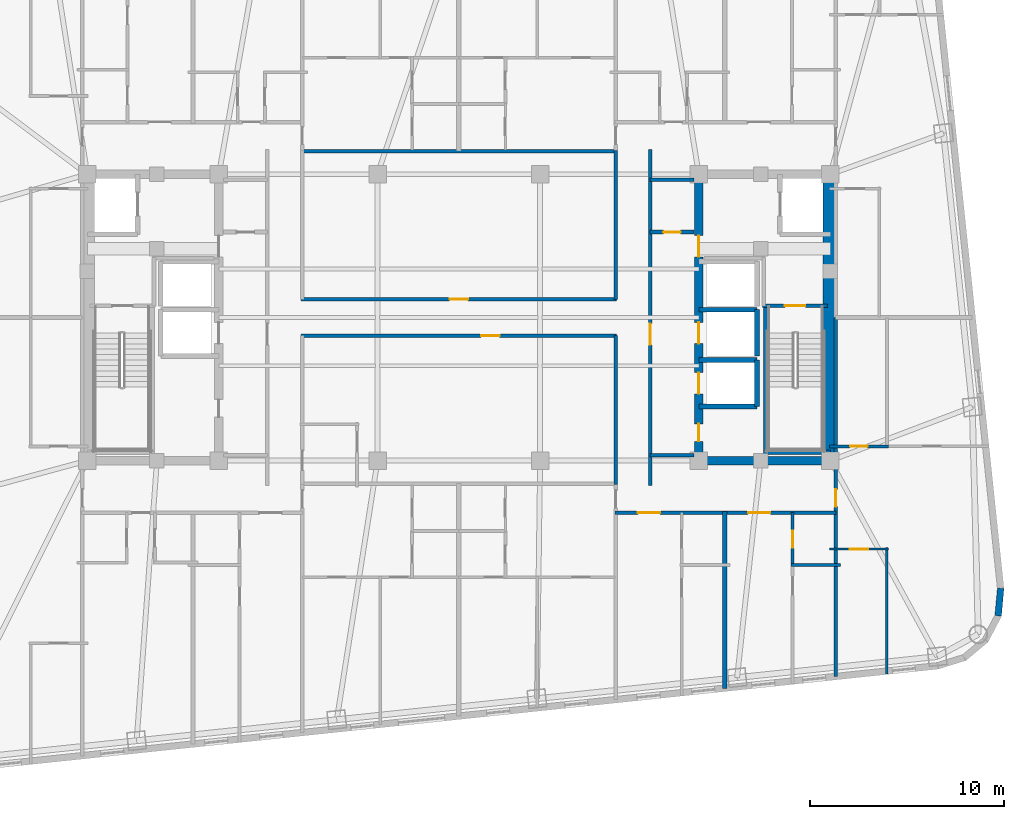
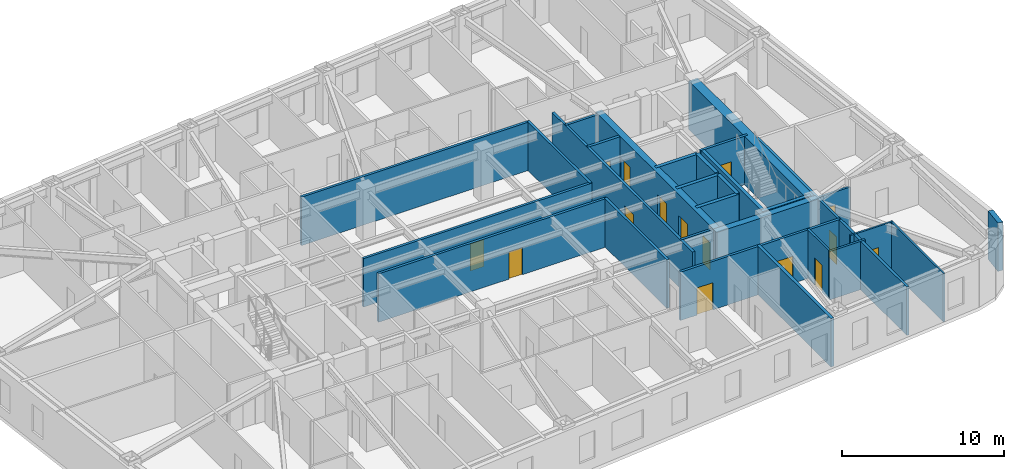
# One storey, part 6 of 12: 29 walls, 15 doors, 15 openings.
"""IFC4 building model written with IfcOpenShell, lengths in metres."""

from ifc_helpers import new_model, si_unit, direction, frame, frame_2d, origin, place, context, subcontext, project, spatial, rectangle, extrude, material, layer, layer_set, type_object, element, fill, save


model = new_model("IFC4")

# Units and contexts
model_context = context("Model", 3, precision=1e-05, world=origin(), true_north=direction((0.0, 1.0)))
body_context = subcontext(model_context, "Body", "Model", "MODEL_VIEW")
ifc_project = project(units=[si_unit("LENGTHUNIT", "METRE"), si_unit("AREAUNIT", "SQUARE_METRE"), si_unit("VOLUMEUNIT", "CUBIC_METRE"), si_unit("PLANEANGLEUNIT", "RADIAN"), si_unit("MASSUNIT", "GRAM", prefix="KILO")], contexts=[model_context])

# Site, building, storey
site_placement = place(None, origin())
site = spatial("IfcSite", under=ifc_project, at=site_placement, CompositionType="ELEMENT")
building_placement = place(site_placement, origin())
building = spatial("IfcBuilding", under=site, at=building_placement, Name="Voryun Gate Residences", CompositionType="ELEMENT")
storey_placement = place(building_placement, frame((0.0, 0.0, 179.39990234375)))
storey = spatial("IfcBuildingStorey", under=building, at=storey_placement, Name="L44", CompositionType="ELEMENT", Elevation=179.39990234375)

# Wall
ifc_material_1 = material(Name="Concrete C50/60", Category="concrete")
ifc_layer_1 = layer(ifc_material_1, 0.449951171875, Name="CW_CORE_450")
ifc_layer_set_1 = layer_set([ifc_layer_1], Name="Concrete C50/60")
wall_type_1 = type_object("IfcWallType", Name="CW_CORE_450", PredefinedType="SHEAR", material=ifc_layer_set_1)
wall_1_placement = place(storey_placement, frame((12.175048828125, -7.39990234375, 0.0), z_axis=(0.0, 0.0, 1.0), x_axis=(1.0, 0.0, 0.0)))
element("IfcWall", 1, at=wall_1_placement, inside=storey, type_object=wall_type_1, Name="L44 Core shear wall CW-L44-ES", PredefinedType="SHEAR", context=body_context, shape_type="SweptSolid", body=[
    extrude(rectangle(XDim=7.25, YDim=0.449951171875, at=frame_2d((3.625, 0.0))), origin(), (0.0, 0.0, 1.0), 3.650146484375),
])

# Wall, openings, doors
wall_2_placement = place(storey_placement, frame((12.39990234375, -7.39990234375, 0.0), z_axis=(0.0, 0.0, 1.0), x_axis=(0.0, 1.0, 0.0)))
wall_2 = element("IfcWall", 2, at=wall_2_placement, inside=storey, type_object=wall_type_1, Name="L44 Core shear wall CW-L44-EW", PredefinedType="SHEAR", context=body_context, shape_type="SweptSolid", body=[
    extrude(rectangle(XDim=14.7998046875, YDim=0.449951171875, at=frame_2d((7.39990234375, 0.0))), origin(), (0.0, 0.0, 1.0), 3.650146484375),
])
opening_1_placement = place(wall_2_placement, frame((3.449951171875, 0.0, 0.0)))
opening_1 = element("IfcOpeningElement", 3, at=opening_1_placement, cuts=wall_2, Name="Opening LD2", PredefinedType="OPENING", context=body_context, shape_type="SweptSolid", body=[
    extrude(rectangle(XDim=1.10009765625, YDim=2.050048828125, at=frame_2d((0.550048828125, 1.02490234375))), frame((0.0, 0.235107421875, 0.0), z_axis=(0.0, -1.0, 0.0), x_axis=(1.0, 0.0, 0.0)), (0.0, 0.0, 1.0), 0.469970703125),
])
opening_2_placement = place(wall_2_placement, frame((6.050048828125, 0.0, 0.0)))
opening_2 = element("IfcOpeningElement", 4, at=opening_2_placement, cuts=wall_2, Name="Opening LD2", PredefinedType="OPENING", context=body_context, shape_type="SweptSolid", body=[
    extrude(rectangle(XDim=1.10009765625, YDim=2.050048828125, at=frame_2d((0.550048828125, 1.02490234375))), frame((0.0, 0.235107421875, 0.0), z_axis=(0.0, -1.0, 0.0), x_axis=(1.0, 0.0, 0.0)), (0.0, 0.0, 1.0), 0.469970703125),
])
opening_3_placement = place(wall_2_placement, frame((10.530029296875, 0.0, 0.0)))
opening_3 = element("IfcOpeningElement", 5, at=opening_3_placement, cuts=wall_2, Name="Opening D-FD60-2", PredefinedType="OPENING", context=body_context, shape_type="SweptSolid", body=[
    extrude(rectangle(XDim=1.10009765625, YDim=2.050048828125, at=frame_2d((0.550048828125, 1.02490234375))), frame((0.0, 0.235107421875, 0.0), z_axis=(0.0, -1.0, 0.0), x_axis=(1.0, 0.0, 0.0)), (0.0, 0.0, 1.0), 0.469970703125),
])
opening_4_placement = place(wall_2_placement, frame((1.0, 0.0, 0.0)))
opening_4 = element("IfcOpeningElement", 6, at=opening_4_placement, cuts=wall_2, Name="Opening D-FD60-4", PredefinedType="OPENING", context=body_context, shape_type="SweptSolid", body=[
    extrude(rectangle(XDim=0.89990234375, YDim=2.050048828125, at=frame_2d((0.449951171875, 1.02490234375))), frame((0.0, 0.235107421875, 0.0), z_axis=(0.0, -1.0, 0.0), x_axis=(1.0, 0.0, 0.0)), (0.0, 0.0, 1.0), 0.469970703125),
])
ifc_material_2 = material(Name="Painted steel fire door", Category="steel")
door_type_1 = type_object("IfcDoorType", Name="DR_FD60_FFLOB_1100", OperationType="NOTDEFINED", PredefinedType="DOOR", material=ifc_material_2)
door_1_placement = place(opening_3_placement, origin())
door_1 = element("IfcDoor", 7, at=door_1_placement, inside=storey, type_object=door_type_1, Name="Door DR-L44-CLOB-E", OperationType="SINGLE_SWING_RIGHT", OverallHeight=2.050048828125, OverallWidth=1.10009765625, PredefinedType="DOOR", context=body_context, shape_type="SweptSolid", body=[
    extrude(rectangle(XDim=1.10009765625, YDim=2.050048828125, at=frame_2d((0.550048828125, 1.02490234375))), frame((0.0, 0.02490234375, 0.0), z_axis=(0.0, -1.0, 0.0), x_axis=(1.0, 0.0, 0.0)), (0.0, 0.0, 1.0), 0.050048828125),
])
fill(opening_3, door_1)
ifc_material_3 = material(Name="Painted steel fire door", Category="steel")
door_type_2 = type_object("IfcDoorType", Name="DR_FD60_RISER_900", OperationType="NOTDEFINED", PredefinedType="DOOR", material=ifc_material_3)
door_2_placement = place(opening_4_placement, origin())
door_2 = element("IfcDoor", 8, at=door_2_placement, inside=storey, type_object=door_type_2, Name="Door DR-L44-RECE1", OperationType="SINGLE_SWING_RIGHT", OverallHeight=2.050048828125, OverallWidth=0.89990234375, PredefinedType="DOOR", context=body_context, shape_type="SweptSolid", body=[
    extrude(rectangle(XDim=0.89990234375, YDim=2.050048828125, at=frame_2d((0.449951171875, 1.02490234375))), frame((0.0, 0.02490234375, 0.0), z_axis=(0.0, -1.0, 0.0), x_axis=(1.0, 0.0, 0.0)), (0.0, 0.0, 1.0), 0.050048828125),
])
fill(opening_4, door_2)
ifc_material_4 = material(Name="Anodised aluminium", Category="aluminium")
door_type_3 = type_object("IfcDoorType", Name="DR_LD_PASS_1100", OperationType="NOTDEFINED", PredefinedType="DOOR", material=ifc_material_4)
door_3_placement = place(opening_1_placement, origin())
door_3 = element("IfcDoor", 9, at=door_3_placement, inside=storey, type_object=door_type_3, Name="Lift EL-P5 sliding landing door L44", OperationType="SLIDING_TO_LEFT", OverallHeight=2.050048828125, OverallWidth=1.10009765625, PredefinedType="DOOR", context=body_context, shape_type="SweptSolid", body=[
    extrude(rectangle(XDim=1.10009765625, YDim=2.050048828125, at=frame_2d((0.550048828125, 1.02490234375))), frame((0.0, 0.02490234375, 0.0), z_axis=(0.0, -1.0, 0.0), x_axis=(1.0, 0.0, 0.0)), (0.0, 0.0, 1.0), 0.050048828125),
])
fill(opening_1, door_3)
door_4_placement = place(opening_2_placement, origin())
door_4 = element("IfcDoor", 10, at=door_4_placement, inside=storey, type_object=door_type_3, Name="Lift EL-P6 sliding landing door L44", OperationType="SLIDING_TO_LEFT", OverallHeight=2.050048828125, OverallWidth=1.10009765625, PredefinedType="DOOR", context=body_context, shape_type="SweptSolid", body=[
    extrude(rectangle(XDim=1.10009765625, YDim=2.050048828125, at=frame_2d((0.550048828125, 1.02490234375))), frame((0.0, 0.02490234375, 0.0), z_axis=(0.0, -1.0, 0.0), x_axis=(1.0, 0.0, 0.0)), (0.0, 0.0, 1.0), 0.050048828125),
])
fill(opening_2, door_4)

# Wall
ifc_material_5 = material(Name="Concrete C60/75", Category="concrete")
ifc_layer_2 = layer(ifc_material_5, 0.64990234375, Name="CW_CORE_650")
ifc_layer_set_2 = layer_set([ifc_layer_2], Name="Concrete C60/75")
wall_type_2 = type_object("IfcWallType", Name="CW_CORE_650", PredefinedType="SHEAR", material=ifc_layer_set_2)
wall_3_placement = place(storey_placement, frame((19.14501953125, -7.39990234375, 0.0), z_axis=(0.0, 0.0, 1.0), x_axis=(0.0, 1.0, 0.0)))
element("IfcWall", 11, at=wall_3_placement, inside=storey, type_object=wall_type_2, Name="L44 Core shear wall CW-L44-EE", PredefinedType="SHEAR", context=body_context, shape_type="SweptSolid", body=[
    extrude(rectangle(XDim=14.7998046875, YDim=0.64990234375, at=frame_2d((7.39990234375, 0.0))), origin(), (0.0, 0.0, 1.0), 3.650146484375),
])

# Wall, opening, door
ifc_material_6 = material(Name="Gypsum acoustic fireboard")
ifc_layer_3 = layer(ifc_material_6, 0.179931640625, Name="W_CORR_RATED_180")
ifc_layer_set_3 = layer_set([ifc_layer_3], Name="Gypsum acoustic fireboard")
wall_type_3 = type_object("IfcWallType", Name="W_CORR_RATED_180", PredefinedType="PARTITIONING", material=ifc_layer_set_3)
wall_4_placement = place(storey_placement, frame((15.699951171875, 0.60009765625, 0.0), z_axis=(0.0, 0.0, 1.0), x_axis=(1.0, 0.0, 0.0)))
wall_4 = element("IfcWall", 12, at=wall_4_placement, inside=storey, type_object=wall_type_3, Name="Partition wall WP-L44-STV-E", PredefinedType="PARTITIONING", context=body_context, shape_type="SweptSolid", body=[
    extrude(rectangle(XDim=3.360107421875, YDim=0.179931640625, at=frame_2d((1.68017578125, 0.0))), origin(), (0.0, 0.0, 1.0), 3.650146484375),
])
opening_5_placement = place(wall_4_placement, frame((1.155029296875, 0.0, 0.0)))
opening_5 = element("IfcOpeningElement", 13, at=opening_5_placement, cuts=wall_4, Name="Opening D-FD60-1", PredefinedType="OPENING", context=body_context, shape_type="SweptSolid", body=[
    extrude(rectangle(XDim=1.050048828125, YDim=2.050048828125, at=frame_2d((0.52490234375, 1.02490234375))), frame((0.0, 0.099853515625, 0.0), z_axis=(0.0, -1.0, 0.0), x_axis=(1.0, 0.0, 0.0)), (0.0, 0.0, 1.0), 0.199951171875),
])
ifc_material_7 = material(Name="Painted steel fire door", Category="steel")
door_type_4 = type_object("IfcDoorType", Name="DR_FD60_STAIR_1050", OperationType="NOTDEFINED", PredefinedType="DOOR", material=ifc_material_7)
door_5_placement = place(opening_5_placement, origin())
door_5 = element("IfcDoor", 14, at=door_5_placement, inside=storey, type_object=door_type_4, Name="Door DR-L44-ST-E", OperationType="SINGLE_SWING_RIGHT", OverallHeight=2.050048828125, OverallWidth=1.050048828125, PredefinedType="DOOR", context=body_context, shape_type="SweptSolid", body=[
    extrude(rectangle(XDim=1.050048828125, YDim=2.050048828125, at=frame_2d((0.52490234375, 1.02490234375))), frame((0.0, 0.02490234375, 0.0), z_axis=(0.0, -1.0, 0.0), x_axis=(1.0, 0.0, 0.0)), (0.0, 0.0, 1.0), 0.050048828125),
])
fill(opening_5, door_5)

# Walls
for number, where, z_axis, x_axis, name in (
    (15, (9.8798828125, 7.1201171875, 0.0), (0.0, 0.0, 1.0), (1.0, 0.0, 0.0), "Partition wall WP-L44-PLBN-E"),
    (16, (9.8798828125, -7.1201171875, 0.0), (0.0, 0.0, 1.0), (1.0, 0.0, 0.0), "Partition wall WP-L44-PLBS-E"),
):
    element("IfcWall", number, at=place(storey_placement, frame(where, z_axis=z_axis, x_axis=x_axis)), inside=storey, type_object=wall_type_3, Name=name, PredefinedType="PARTITIONING", context=body_context, shape_type="SweptSolid", body=[
        extrude(rectangle(XDim=2.27001953125, YDim=0.179931640625, at=frame_2d((1.135009765625, 0.0))), origin(), (0.0, 0.0, 1.0), 3.650146484375),
    ])

# Wall, opening, door
wall_5_placement = place(storey_placement, frame((9.89990234375, -8.679931640625, 0.0), z_axis=(0.0, 0.0, 1.0), x_axis=(0.0, 1.0, 0.0)))
wall_5 = element("IfcWall", 17, at=wall_5_placement, inside=storey, type_object=wall_type_3, Name="Partition wall WP-L44-PLBE-FULL", PredefinedType="PARTITIONING", context=body_context, shape_type="SweptSolid", body=[
    extrude(rectangle(XDim=17.35986328125, YDim=0.179931640625, at=frame_2d((8.679931640625, 0.0))), origin(), (0.0, 0.0, 1.0), 3.650146484375),
])
opening_6_placement = place(wall_5_placement, frame((7.261962890625, 0.0, 0.0)))
opening_6 = element("IfcOpeningElement", 18, at=opening_6_placement, cuts=wall_5, Name="Opening D-FD60-2", PredefinedType="OPENING", context=body_context, shape_type="SweptSolid", body=[
    extrude(rectangle(XDim=1.10009765625, YDim=2.050048828125, at=frame_2d((0.550048828125, 1.02490234375))), frame((0.0, 0.099853515625, 0.0), z_axis=(0.0, -1.0, 0.0), x_axis=(1.0, 0.0, 0.0)), (0.0, 0.0, 1.0), 0.199951171875),
])
door_6_placement = place(opening_6_placement, origin())
door_6 = element("IfcDoor", 19, at=door_6_placement, inside=storey, type_object=door_type_1, Name="Door DR-L44-PLBE-COR", OperationType="SINGLE_SWING_RIGHT", OverallHeight=2.050048828125, OverallWidth=1.10009765625, PredefinedType="DOOR", context=body_context, shape_type="SweptSolid", body=[
    extrude(rectangle(XDim=1.10009765625, YDim=2.050048828125, at=frame_2d((0.550048828125, 1.02490234375))), frame((0.0, 0.02490234375, 0.0), z_axis=(0.0, -1.0, 0.0), x_axis=(1.0, 0.0, 0.0)), (0.0, 0.0, 1.0), 0.050048828125),
])
fill(opening_6, door_6)

# Wall
wall_6_placement = place(storey_placement, frame((-8.14990234375, 8.590087890625, 0.0), z_axis=(0.0, 0.0, 1.0), x_axis=(1.0, 0.0, 0.0)))
element("IfcWall", 20, at=wall_6_placement, inside=storey, type_object=wall_type_3, Name="Partition wall WP-L44-Z2N", PredefinedType="PARTITIONING", context=body_context, shape_type="SweptSolid", body=[
    extrude(rectangle(XDim=16.2998046875, YDim=0.179931640625, at=frame_2d((8.14990234375, 0.0))), origin(), (0.0, 0.0, 1.0), 3.650146484375),
])

# Wall, opening, door
wall_7_placement = place(storey_placement, frame((-8.14990234375, 0.93994140625, 0.0), z_axis=(0.0, 0.0, 1.0), x_axis=(1.0, 0.0, 0.0)))
wall_7 = element("IfcWall", 21, at=wall_7_placement, inside=storey, type_object=wall_type_3, Name="Partition wall WP-L44-Z2HN", PredefinedType="PARTITIONING", context=body_context, shape_type="SweptSolid", body=[
    extrude(rectangle(XDim=16.2998046875, YDim=0.179931640625, at=frame_2d((8.14990234375, 0.0))), origin(), (0.0, 0.0, 1.0), 3.650146484375),
])
opening_7_placement = place(wall_7_placement, frame((7.675048828125, 0.0, 0.0)))
opening_7 = element("IfcOpeningElement", 22, at=opening_7_placement, cuts=wall_7, Name="Opening D-INT-1", PredefinedType="OPENING", context=body_context, shape_type="SweptSolid", body=[
    extrude(rectangle(XDim=0.949951171875, YDim=2.050048828125, at=frame_2d((0.47509765625, 1.02490234375))), frame((0.0, 0.099853515625, 0.0), z_axis=(0.0, -1.0, 0.0), x_axis=(1.0, 0.0, 0.0)), (0.0, 0.0, 1.0), 0.199951171875),
])
ifc_material_8 = material(Name="Architectural oak veneer")
door_type_5 = type_object("IfcDoorType", Name="DR_INT_ROOM_950", OperationType="NOTDEFINED", PredefinedType="DOOR", material=ifc_material_8)
door_7_placement = place(opening_7_placement, origin())
door_7 = element("IfcDoor", 23, at=door_7_placement, inside=storey, type_object=door_type_5, Name="Door DR-L44-Z2NH", OperationType="SINGLE_SWING_LEFT", OverallHeight=2.050048828125, OverallWidth=0.949951171875, PredefinedType="DOOR", context=body_context, shape_type="SweptSolid", body=[
    extrude(rectangle(XDim=0.949951171875, YDim=2.050048828125, at=frame_2d((0.47509765625, 1.02490234375))), frame((0.0, 0.02490234375, 0.0), z_axis=(0.0, -1.0, 0.0), x_axis=(1.0, 0.0, 0.0)), (0.0, 0.0, 1.0), 0.050048828125),
])
fill(opening_7, door_7)

wall_8_placement = place(storey_placement, frame((-8.14990234375, -0.93994140625, 0.0), z_axis=(0.0, 0.0, 1.0), x_axis=(1.0, 0.0, 0.0)))
wall_8 = element("IfcWall", 24, at=wall_8_placement, inside=storey, type_object=wall_type_3, Name="Partition wall WP-L44-Z2HS", PredefinedType="PARTITIONING", context=body_context, shape_type="SweptSolid", body=[
    extrude(rectangle(XDim=16.2998046875, YDim=0.179931640625, at=frame_2d((8.14990234375, 0.0))), origin(), (0.0, 0.0, 1.0), 3.650146484375),
])
opening_8_placement = place(wall_8_placement, frame((9.304931640625, 0.0, 0.0)))
opening_8 = element("IfcOpeningElement", 25, at=opening_8_placement, cuts=wall_8, Name="Opening D-INT-1", PredefinedType="OPENING", context=body_context, shape_type="SweptSolid", body=[
    extrude(rectangle(XDim=0.949951171875, YDim=2.050048828125, at=frame_2d((0.47509765625, 1.02490234375))), frame((0.0, 0.099853515625, 0.0), z_axis=(0.0, -1.0, 0.0), x_axis=(1.0, 0.0, 0.0)), (0.0, 0.0, 1.0), 0.199951171875),
])
door_8_placement = place(opening_8_placement, origin())
door_8 = element("IfcDoor", 26, at=door_8_placement, inside=storey, type_object=door_type_5, Name="Door DR-L44-Z2SH", OperationType="SINGLE_SWING_RIGHT", OverallHeight=2.050048828125, OverallWidth=0.949951171875, PredefinedType="DOOR", context=body_context, shape_type="SweptSolid", body=[
    extrude(rectangle(XDim=0.949951171875, YDim=2.050048828125, at=frame_2d((0.47509765625, 1.02490234375))), frame((0.0, 0.02490234375, 0.0), z_axis=(0.0, -1.0, 0.0), x_axis=(1.0, 0.0, 0.0)), (0.0, 0.0, 1.0), 0.050048828125),
])
fill(opening_8, door_8)

# Walls
for number, where, z_axis, x_axis, name in (
    (27, (8.10009765625, 0.919921875, 0.0), (0.0, 0.0, 1.0), (0.0, 1.0, 0.0), "Partition wall WP-L44-Z2ER1"),
    (28, (8.10009765625, -8.6298828125, 0.0), (0.0, 0.0, 1.0), (0.0, 1.0, 0.0), "Partition wall WP-L44-Z2ER2"),
):
    element("IfcWall", number, at=place(storey_placement, frame(where, z_axis=z_axis, x_axis=x_axis)), inside=storey, type_object=wall_type_3, Name=name, PredefinedType="PARTITIONING", context=body_context, shape_type="SweptSolid", body=[
        extrude(rectangle(XDim=7.7099609375, YDim=0.179931640625, at=frame_2d((3.85498046875, 0.0))), origin(), (0.0, 0.0, 1.0), 3.650146484375),
    ])

# Wall, openings, doors
wall_9_placement = place(storey_placement, frame((8.080078125, -10.10009765625, 0.0), z_axis=(0.0, 0.0, 1.0), x_axis=(1.0, 0.0, 0.0)))
wall_9 = element("IfcWall", 29, at=wall_9_placement, inside=storey, type_object=wall_type_3, Name="Partition wall WP-L44-SCORR-E", PredefinedType="PARTITIONING", context=body_context, shape_type="SweptSolid", body=[
    extrude(rectangle(XDim=11.419921875, YDim=0.179931640625, at=frame_2d((5.7099609375, 0.0))), origin(), (0.0, 0.0, 1.0), 3.650146484375),
])
opening_9_placement = place(wall_9_placement, frame((1.174560546875, 0.0, 0.0)))
opening_9 = element("IfcOpeningElement", 30, at=opening_9_placement, cuts=wall_9, Name="Opening D-UNIT-1", PredefinedType="OPENING", context=body_context, shape_type="SweptSolid", body=[
    extrude(rectangle(XDim=1.14990234375, YDim=2.050048828125, at=frame_2d((0.574951171875, 1.02490234375))), frame((0.0, 0.099853515625, 0.0), z_axis=(0.0, -1.0, 0.0), x_axis=(1.0, 0.0, 0.0)), (0.0, 0.0, 1.0), 0.199951171875),
])
opening_10_placement = place(wall_9_placement, frame((6.86962890625, 0.0, 0.0)))
opening_10 = element("IfcOpeningElement", 31, at=opening_10_placement, cuts=wall_9, Name="Opening D-UNIT-1", PredefinedType="OPENING", context=body_context, shape_type="SweptSolid", body=[
    extrude(rectangle(XDim=1.14990234375, YDim=2.050048828125, at=frame_2d((0.574951171875, 1.02490234375))), frame((0.0, 0.099853515625, 0.0), z_axis=(0.0, -1.0, 0.0), x_axis=(1.0, 0.0, 0.0)), (0.0, 0.0, 1.0), 0.199951171875),
])
ifc_material_9 = material(Name="Armoured timber-clad fire door", Category="wood")
door_type_6 = type_object("IfcDoorType", Name="DR_UNIT_ENTRY_1150", OperationType="NOTDEFINED", PredefinedType="DOOR", material=ifc_material_9)
door_9_placement = place(opening_9_placement, origin())
door_9 = element("IfcDoor", 32, at=door_9_placement, inside=storey, type_object=door_type_6, Name="Door DR-L44-SENT-4", OperationType="SINGLE_SWING_LEFT", OverallHeight=2.050048828125, OverallWidth=1.14990234375, PredefinedType="DOOR", context=body_context, shape_type="SweptSolid", body=[
    extrude(rectangle(XDim=1.14990234375, YDim=2.050048828125, at=frame_2d((0.574951171875, 1.02490234375))), frame((0.0, 0.02490234375, 0.0), z_axis=(0.0, -1.0, 0.0), x_axis=(1.0, 0.0, 0.0)), (0.0, 0.0, 1.0), 0.050048828125),
])
fill(opening_9, door_9)
door_10_placement = place(opening_10_placement, origin())
door_10 = element("IfcDoor", 33, at=door_10_placement, inside=storey, type_object=door_type_6, Name="Door DR-L44-SENT-5", OperationType="SINGLE_SWING_RIGHT", OverallHeight=2.050048828125, OverallWidth=1.14990234375, PredefinedType="DOOR", context=body_context, shape_type="SweptSolid", body=[
    extrude(rectangle(XDim=1.14990234375, YDim=2.050048828125, at=frame_2d((0.574951171875, 1.02490234375))), frame((0.0, 0.02490234375, 0.0), z_axis=(0.0, -1.0, 0.0), x_axis=(1.0, 0.0, 0.0)), (0.0, 0.0, 1.0), 0.050048828125),
])
fill(opening_10, door_10)

# Wall, opening, door
wall_10_placement = place(storey_placement, frame((19.469970703125, -18.55859375, 0.0), z_axis=(0.0, 0.0, 1.0), x_axis=(0.0, 1.0, 0.0)))
wall_10 = element("IfcWall", 34, at=wall_10_placement, inside=storey, type_object=wall_type_3, Name="Partition wall WP-L44-ECOR1", PredefinedType="PARTITIONING", context=body_context, shape_type="SweptSolid", body=[
    extrude(rectangle(XDim=18.55859375, YDim=0.179931640625, at=frame_2d((9.279296875, 0.0))), origin(), (0.0, 0.0, 1.0), 3.650146484375),
])
opening_11_placement = place(wall_10_placement, frame((8.779296875, 0.0, 0.0)))
opening_11 = element("IfcOpeningElement", 35, at=opening_11_placement, cuts=wall_10, Name="Opening D-INT-2", PredefinedType="OPENING", context=body_context, shape_type="SweptSolid", body=[
    extrude(rectangle(XDim=0.89990234375, YDim=2.050048828125, at=frame_2d((0.449951171875, 1.02490234375))), frame((0.0, 0.099853515625, 0.0), z_axis=(0.0, -1.0, 0.0), x_axis=(1.0, 0.0, 0.0)), (0.0, 0.0, 1.0), 0.199951171875),
])
ifc_material_10 = material(Name="Architectural oak veneer")
door_type_7 = type_object("IfcDoorType", Name="DR_INT_BATH_900", OperationType="NOTDEFINED", PredefinedType="DOOR", material=ifc_material_10)
door_11_placement = place(opening_11_placement, origin())
door_11 = element("IfcDoor", 36, at=door_11_placement, inside=storey, type_object=door_type_7, Name="Door DR-L44-EE1", OperationType="SINGLE_SWING_LEFT", OverallHeight=2.050048828125, OverallWidth=0.89990234375, PredefinedType="DOOR", context=body_context, shape_type="SweptSolid", body=[
    extrude(rectangle(XDim=0.89990234375, YDim=2.050048828125, at=frame_2d((0.449951171875, 1.02490234375))), frame((0.0, 0.02490234375, 0.0), z_axis=(0.0, -1.0, 0.0), x_axis=(1.0, 0.0, 0.0)), (0.0, 0.0, 1.0), 0.050048828125),
])
fill(opening_11, door_11)

# Wall
ifc_material_11 = material(Name="Charcoal terracotta masonry", Category="masonry")
ifc_layer_4 = layer(ifc_material_11, 0.340087890625, Name="W_EXT_TERRACOTTA_340")
ifc_layer_set_4 = layer_set([ifc_layer_4], Name="Charcoal terracotta masonry")
wall_type_4 = type_object("IfcWallType", Name="W_EXT_TERRACOTTA_340", PredefinedType="ELEMENTEDWALL", material=ifc_layer_set_4)
wall_11_placement = place(storey_placement, frame((28.001220703125, -13.9951171875, 0.0), z_axis=(0.0, 0.0, 1.0), x_axis=(-0.091534682358, -0.995801888894, 0.0)))
element("IfcWall", 37, at=wall_11_placement, inside=storey, type_object=wall_type_4, Name="Exterior wall WEXT-L44-17", PredefinedType="ELEMENTEDWALL", context=body_context, shape_type="SweptSolid", body=[
    extrude(rectangle(XDim=1.432373046875, YDim=0.340087890625, at=frame_2d((0.71630859375, 0.0))), origin(), (0.0, 0.0, 1.0), 3.650146484375),
])

# Wall, opening, door
ifc_material_12 = material(Name="Concrete C40/50", Category="concrete")
ifc_layer_5 = layer(ifc_material_12, 0.199951171875, Name="W_FF_LOBBY_200")
ifc_layer_set_5 = layer_set([ifc_layer_5], Name="Concrete C40/50")
wall_type_5 = type_object("IfcWallType", Name="W_FF_LOBBY_200", PredefinedType="PARTITIONING", material=ifc_layer_set_5)
wall_12_placement = place(storey_placement, frame((9.8798828125, 4.409912109375, 0.0), z_axis=(0.0, 0.0, 1.0), x_axis=(1.0, 0.0, 0.0)))
wall_12 = element("IfcWall", 38, at=wall_12_placement, inside=storey, type_object=wall_type_5, Name="Partition wall WP-L44-CSFLKS-E", PredefinedType="PARTITIONING", context=body_context, shape_type="SweptSolid", body=[
    extrude(rectangle(XDim=2.27001953125, YDim=0.199951171875, at=frame_2d((1.135009765625, 0.0))), origin(), (0.0, 0.0, 1.0), 3.650146484375),
])
opening_12_placement = place(wall_12_placement, frame((0.68505859375, 0.0, 0.0)))
opening_12 = element("IfcOpeningElement", 39, at=opening_12_placement, cuts=wall_12, Name="Opening D-FD60-4", PredefinedType="OPENING", context=body_context, shape_type="SweptSolid", body=[
    extrude(rectangle(XDim=0.89990234375, YDim=2.050048828125, at=frame_2d((0.449951171875, 1.02490234375))), frame((0.0, 0.110107421875, 0.0), z_axis=(0.0, -1.0, 0.0), x_axis=(1.0, 0.0, 0.0)), (0.0, 0.0, 1.0), 0.219970703125),
])
door_12_placement = place(opening_12_placement, origin())
door_12 = element("IfcDoor", 40, at=door_12_placement, inside=storey, type_object=door_type_2, Name="Door DR-L44-CSFLK-E", OperationType="SINGLE_SWING_RIGHT", OverallHeight=2.050048828125, OverallWidth=0.89990234375, PredefinedType="DOOR", context=body_context, shape_type="SweptSolid", body=[
    extrude(rectangle(XDim=0.89990234375, YDim=2.050048828125, at=frame_2d((0.449951171875, 1.02490234375))), frame((0.0, 0.02490234375, 0.0), z_axis=(0.0, -1.0, 0.0), x_axis=(1.0, 0.0, 0.0)), (0.0, 0.0, 1.0), 0.050048828125),
])
fill(opening_12, door_12)

# Walls
ifc_material_13 = material(Name="Concrete C40/50", Category="concrete")
ifc_layer_6 = layer(ifc_material_13, 0.219970703125, Name="W_PARTY_ACOUSTIC_220")
ifc_layer_set_6 = layer_set([ifc_layer_6], Name="Concrete C40/50")
wall_type_6 = type_object("IfcWallType", Name="W_PARTY_ACOUSTIC_220", PredefinedType="PARTITIONING", material=ifc_layer_set_6)
wall_13_placement = place(storey_placement, frame((13.739990234375, -19.160888671875, 0.0), z_axis=(0.0, 0.0, 1.0), x_axis=(0.0, 1.0, 0.0)))
element("IfcWall", 41, at=wall_13_placement, inside=storey, type_object=wall_type_6, Name="Partition wall WP-L44-SPTY-4", PredefinedType="PARTITIONING", context=body_context, shape_type="SweptSolid", body=[
    extrude(rectangle(XDim=9.140869140625, YDim=0.219970703125, at=frame_2d((4.5703125, 0.0))), origin(), (0.0, 0.0, 1.0), 3.650146484375),
])
ifc_material_14 = material(Name="Concrete C50/60", Category="concrete")
ifc_layer_7 = layer(ifc_material_14, 0.25, Name="W_SHAFT_RC250")
ifc_layer_set_7 = layer_set([ifc_layer_7], Name="Concrete C50/60")
wall_type_7 = type_object("IfcWallType", Name="W_SHAFT_RC250", PredefinedType="SOLIDWALL", material=ifc_layer_set_7)
wall_14_placement = place(storey_placement, frame((15.860107421875, -7.0849609375, 0.0), z_axis=(0.0, 0.0, 1.0), x_axis=(0.0, 1.0, 0.0)))
element("IfcWall", 42, at=wall_14_placement, inside=storey, type_object=wall_type_7, Name="L44 Stair shaft structural wall E-STL", PredefinedType="SOLIDWALL", context=body_context, shape_type="SweptSolid", body=[
    extrude(rectangle(XDim=7.68505859375, YDim=0.25, at=frame_2d((3.842529296875, 0.0))), origin(), (0.0, 0.0, 1.0), 3.650146484375),
])
wall_15_placement = place(storey_placement, frame((15.739990234375, -6.965087890625, 0.0), z_axis=(0.0, 0.0, 1.0), x_axis=(1.0, 0.0, 0.0)))
element("IfcWall", 43, at=wall_15_placement, inside=storey, type_object=wall_type_7, Name="L44 Stair shaft structural wall E-STS", PredefinedType="SOLIDWALL", context=body_context, shape_type="SweptSolid", body=[
    extrude(rectangle(XDim=3.4599609375, YDim=0.25, at=frame_2d((1.72998046875, 0.0))), origin(), (0.0, 0.0, 1.0), 3.650146484375),
])
wall_16_placement = place(storey_placement, frame((12.39990234375, -4.60009765625, 0.0), z_axis=(0.0, 0.0, 1.0), x_axis=(1.0, 0.0, 0.0)))
element("IfcWall", 44, at=wall_16_placement, inside=storey, type_object=wall_type_7, Name="Lift shaft wall WSH-L44-EL-P5-S", PredefinedType="SOLIDWALL", context=body_context, shape_type="SweptSolid", body=[
    extrude(rectangle(XDim=3.0, YDim=0.25, at=frame_2d((1.5, 0.0))), origin(), (0.0, 0.0, 1.0), 3.650146484375),
])
wall_17_placement = place(storey_placement, frame((15.39990234375, -4.60009765625, 0.0), z_axis=(0.0, 0.0, 1.0), x_axis=(0.0, 1.0, 0.0)))
element("IfcWall", 45, at=wall_17_placement, inside=storey, type_object=wall_type_7, Name="Lift shaft wall WSH-L44-EL-P5-E", PredefinedType="SOLIDWALL", context=body_context, shape_type="SweptSolid", body=[
    extrude(rectangle(XDim=2.400146484375, YDim=0.25, at=frame_2d((1.2001953125, 0.0))), origin(), (0.0, 0.0, 1.0), 3.650146484375),
])
wall_18_placement = place(storey_placement, frame((15.39990234375, -2.199951171875, 0.0), z_axis=(0.0, 0.0, 1.0), x_axis=(-1.0, 0.0, 0.0)))
element("IfcWall", 46, at=wall_18_placement, inside=storey, type_object=wall_type_7, Name="Lift shaft wall WSH-L44-EL-P5-N", PredefinedType="SOLIDWALL", context=body_context, shape_type="SweptSolid", body=[
    extrude(rectangle(XDim=3.0, YDim=0.25, at=frame_2d((1.5, 0.0))), origin(), (0.0, 0.0, 1.0), 3.650146484375),
])
wall_19_placement = place(storey_placement, frame((15.39990234375, -2.0, 0.0), z_axis=(0.0, 0.0, 1.0), x_axis=(0.0, 1.0, 0.0)))
element("IfcWall", 47, at=wall_19_placement, inside=storey, type_object=wall_type_7, Name="Lift shaft wall WSH-L44-EL-P6-E", PredefinedType="SOLIDWALL", context=body_context, shape_type="SweptSolid", body=[
    extrude(rectangle(XDim=2.39990234375, YDim=0.25, at=frame_2d((1.199951171875, 0.0))), origin(), (0.0, 0.0, 1.0), 3.650146484375),
])
wall_20_placement = place(storey_placement, frame((15.39990234375, 0.39990234375, 0.0), z_axis=(0.0, 0.0, 1.0), x_axis=(-1.0, 0.0, 0.0)))
element("IfcWall", 48, at=wall_20_placement, inside=storey, type_object=wall_type_7, Name="Lift shaft wall WSH-L44-EL-P6-N", PredefinedType="SOLIDWALL", context=body_context, shape_type="SweptSolid", body=[
    extrude(rectangle(XDim=3.0, YDim=0.25, at=frame_2d((1.5, 0.0))), origin(), (0.0, 0.0, 1.0), 3.650146484375),
])

# Wall, opening, door
ifc_material_15 = material(Name="Gypsum acoustic partition")
ifc_layer_8 = layer(ifc_material_15, 0.125, Name="W_UNIT_PART_125")
ifc_layer_set_8 = layer_set([ifc_layer_8], Name="Gypsum acoustic partition")
wall_type_8 = type_object("IfcWallType", Name="W_UNIT_PART_125", PredefinedType="PARTITIONING", material=ifc_layer_set_8)
wall_21_placement = place(storey_placement, frame((19.14990234375, -11.966064453125, 0.0), z_axis=(0.0, 0.0, 1.0), x_axis=(1.0, 0.0, 0.0)))
wall_21 = element("IfcWall", 49, at=wall_21_placement, inside=storey, type_object=wall_type_8, Name="Partition wall WP-L44-E1-IKA", PredefinedType="PARTITIONING", context=body_context, shape_type="SweptSolid", body=[
    extrude(rectangle(XDim=3.050048828125, YDim=0.125, at=frame_2d((1.52490234375, 0.0))), origin(), (0.0, 0.0, 1.0), 3.650146484375),
])
opening_13_placement = place(wall_21_placement, frame((1.050048828125, 0.0, 0.0)))
opening_13 = element("IfcOpeningElement", 50, at=opening_13_placement, cuts=wall_21, Name="Opening D-INT-1", PredefinedType="OPENING", context=body_context, shape_type="SweptSolid", body=[
    extrude(rectangle(XDim=0.949951171875, YDim=2.050048828125, at=frame_2d((0.47509765625, 1.02490234375))), frame((0.0, 0.072509765625, 0.0), z_axis=(0.0, -1.0, 0.0), x_axis=(1.0, 0.0, 0.0)), (0.0, 0.0, 1.0), 0.14501953125),
])
door_13_placement = place(opening_13_placement, origin())
door_13 = element("IfcDoor", 51, at=door_13_placement, inside=storey, type_object=door_type_5, Name="Door DR-L44-E1-DK", OperationType="SINGLE_SWING_LEFT", OverallHeight=2.050048828125, OverallWidth=0.949951171875, PredefinedType="DOOR", context=body_context, shape_type="SweptSolid", body=[
    extrude(rectangle(XDim=0.949951171875, YDim=2.050048828125, at=frame_2d((0.47509765625, 1.02490234375))), frame((0.0, 0.02490234375, 0.0), z_axis=(0.0, -1.0, 0.0), x_axis=(1.0, 0.0, 0.0)), (0.0, 0.0, 1.0), 0.050048828125),
])
fill(opening_13, door_13)

# Walls
wall_22_placement = place(storey_placement, frame((22.1201171875, -18.430908203125, 0.0), z_axis=(0.0, 0.0, 1.0), x_axis=(0.0, 1.0, 0.0)))
element("IfcWall", 52, at=wall_22_placement, inside=storey, type_object=wall_type_8, Name="Partition wall WP-L44-E1-VTA", PredefinedType="PARTITIONING", context=body_context, shape_type="SweptSolid", body=[
    extrude(rectangle(XDim=6.544921875, YDim=0.125, at=frame_2d((3.2724609375, 0.0))), origin(), (0.0, 0.0, 1.0), 3.650146484375),
])
ifc_material_16 = material(Name="Gypsum moisture-resistant partition")
ifc_layer_9 = layer(ifc_material_16, 0.14990234375, Name="W_WET_PLUMB_150")
ifc_layer_set_9 = layer_set([ifc_layer_9], Name="Gypsum moisture-resistant partition")
wall_type_9 = type_object("IfcWallType", Name="W_WET_PLUMB_150", PredefinedType="PLUMBINGWALL", material=ifc_layer_set_9)
wall_23_placement = place(storey_placement, frame((17.169921875, -12.800048828125, 0.0), z_axis=(0.0, 0.0, 1.0), x_axis=(1.0, 0.0, 0.0)))
element("IfcWall", 53, at=wall_23_placement, inside=storey, type_object=wall_type_9, Name="Partition wall WP-L44-S5-SKB", PredefinedType="PLUMBINGWALL", context=body_context, shape_type="SweptSolid", body=[
    extrude(rectangle(XDim=2.550048828125, YDim=0.14990234375, at=frame_2d((1.27490234375, 0.0))), origin(), (0.0, 0.0, 1.0), 3.650146484375),
])

# Wall, opening, door
wall_24_placement = place(storey_placement, frame((17.25, -12.840087890625, 0.0), z_axis=(0.0, 0.0, 1.0), x_axis=(0.0, 1.0, 0.0)))
wall_24 = element("IfcWall", 54, at=wall_24_placement, inside=storey, type_object=wall_type_9, Name="Partition wall WP-L44-S5-SVT2", PredefinedType="PLUMBINGWALL", context=body_context, shape_type="SweptSolid", body=[
    extrude(rectangle(XDim=2.760009765625, YDim=0.14990234375, at=frame_2d((1.3798828125, 0.0))), origin(), (0.0, 0.0, 1.0), 3.650146484375),
])
opening_14_placement = place(wall_24_placement, frame((0.929931640625, 0.0, 0.0)))
opening_14 = element("IfcOpeningElement", 55, at=opening_14_placement, cuts=wall_24, Name="Opening D-INT-2", PredefinedType="OPENING", context=body_context, shape_type="SweptSolid", body=[
    extrude(rectangle(XDim=0.89990234375, YDim=2.050048828125, at=frame_2d((0.449951171875, 1.02490234375))), frame((0.0, 0.0849609375, 0.0), z_axis=(0.0, -1.0, 0.0), x_axis=(1.0, 0.0, 0.0)), (0.0, 0.0, 1.0), 0.169921875),
])
door_14_placement = place(opening_14_placement, origin())
door_14 = element("IfcDoor", 56, at=door_14_placement, inside=storey, type_object=door_type_7, Name="Door DR-L44-S5-DB", OperationType="SINGLE_SWING_RIGHT", OverallHeight=2.050048828125, OverallWidth=0.89990234375, PredefinedType="DOOR", context=body_context, shape_type="SweptSolid", body=[
    extrude(rectangle(XDim=0.89990234375, YDim=2.050048828125, at=frame_2d((0.449951171875, 1.02490234375))), frame((0.0, 0.02490234375, 0.0), z_axis=(0.0, -1.0, 0.0), x_axis=(1.0, 0.0, 0.0)), (0.0, 0.0, 1.0), 0.050048828125),
])
fill(opening_14, door_14)

wall_25_placement = place(storey_placement, frame((19.14990234375, -6.659912109375, 0.0), z_axis=(0.0, 0.0, 1.0), x_axis=(1.0, 0.0, 0.0)))
wall_25 = element("IfcWall", 57, at=wall_25_placement, inside=storey, type_object=wall_type_9, Name="Partition wall WP-L44-E1-IBB", PredefinedType="PLUMBINGWALL", context=body_context, shape_type="SweptSolid", body=[
    extrude(rectangle(XDim=3.050048828125, YDim=0.14990234375, at=frame_2d((1.52490234375, 0.0))), origin(), (0.0, 0.0, 1.0), 3.0400390625),
])
opening_15_placement = place(wall_25_placement, frame((1.074951171875, 0.0, 0.0)))
opening_15 = element("IfcOpeningElement", 58, at=opening_15_placement, cuts=wall_25, Name="Opening D-INT-2", PredefinedType="OPENING", context=body_context, shape_type="SweptSolid", body=[
    extrude(rectangle(XDim=0.89990234375, YDim=2.050048828125, at=frame_2d((0.449951171875, 1.02490234375))), frame((0.0, 0.0849609375, 0.0), z_axis=(0.0, -1.0, 0.0), x_axis=(1.0, 0.0, 0.0)), (0.0, 0.0, 1.0), 0.169921875),
])
door_15_placement = place(opening_15_placement, origin())
door_15 = element("IfcDoor", 59, at=door_15_placement, inside=storey, type_object=door_type_7, Name="Door DR-L44-E1-DB", OperationType="SINGLE_SWING_RIGHT", OverallHeight=2.050048828125, OverallWidth=0.89990234375, PredefinedType="DOOR", context=body_context, shape_type="SweptSolid", body=[
    extrude(rectangle(XDim=0.89990234375, YDim=2.050048828125, at=frame_2d((0.449951171875, 1.02490234375))), frame((0.0, 0.02490234375, 0.0), z_axis=(0.0, -1.0, 0.0), x_axis=(1.0, 0.0, 0.0)), (0.0, 0.0, 1.0), 0.050048828125),
])
fill(opening_15, door_15)

save(model, "model.ifc")
